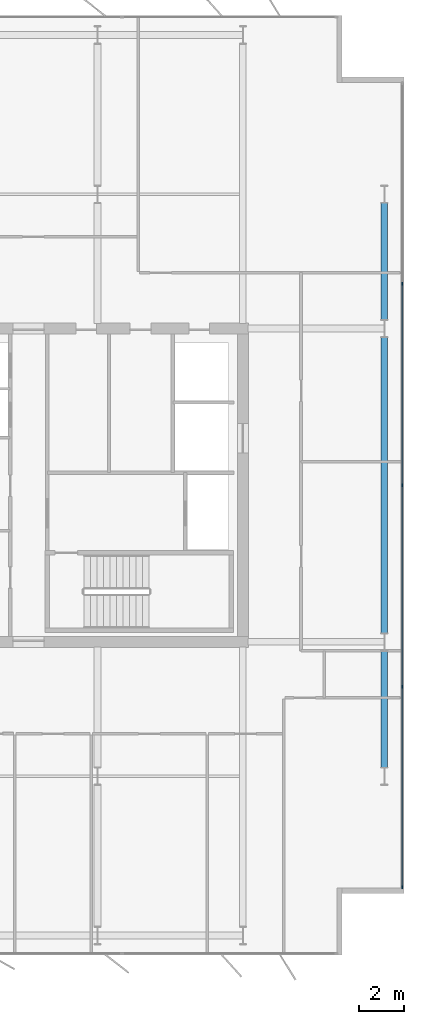
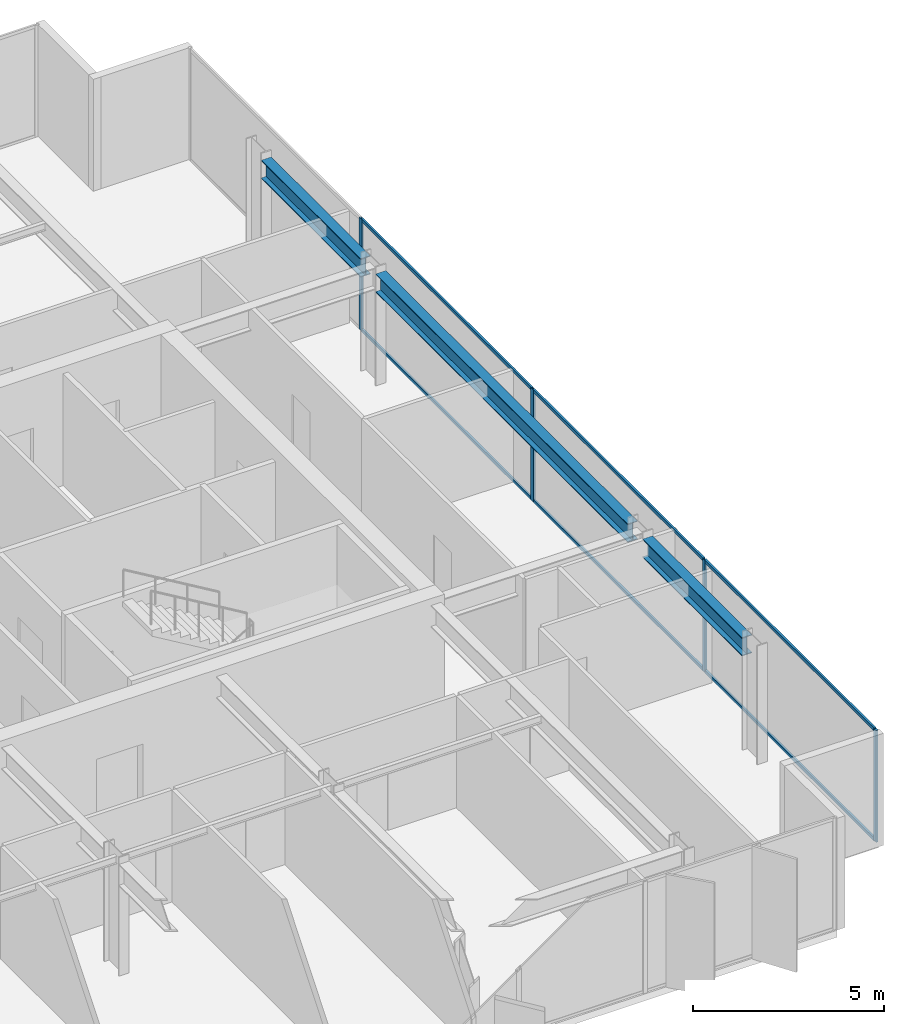
# One storey, part 14 of 24: 10 members, 3 beams, 1 element without a shape of its own.
"""IFC4 building model written with IfcOpenShell, lengths in metres."""

from ifc_helpers import new_model, si_unit, direction, frame, origin, origin_2d, place, context, subcontext, project, spatial, rectangle, i_section, extrude, material, layer, layer_set, material_profile, profile_set, type_object, element, aggregate, save


model = new_model("IFC4")

# Units and contexts
model_context = context("Model", 3, precision=1e-05, world=origin(), true_north=direction((0.0, 1.0)))
body_context = subcontext(model_context, "Body", "Model", "MODEL_VIEW")
ifc_project = project(units=[si_unit("LENGTHUNIT", "METRE"), si_unit("AREAUNIT", "SQUARE_METRE"), si_unit("VOLUMEUNIT", "CUBIC_METRE"), si_unit("PLANEANGLEUNIT", "RADIAN"), si_unit("MASSUNIT", "GRAM", prefix="KILO")], contexts=[model_context])

# Site, building, storey
site_placement = place(None, origin())
site = spatial("IfcSite", under=ifc_project, at=site_placement, CompositionType="ELEMENT")
building_placement = place(site_placement, origin())
building = spatial("IfcBuilding", under=site, at=building_placement, Name="Putna Gate Headquarters", CompositionType="ELEMENT")
storey_placement = place(building_placement, frame((0.0, 0.0, 236.60009765625)))
storey = spatial("IfcBuildingStorey", under=building, at=storey_placement, Name="L59", CompositionType="ELEMENT", Elevation=236.60009765625)

# Beams
ifc_material_1 = material(Name="Steel S355J2", Category="steel")
ifc_material_profile_1 = material_profile(ifc_material_1, i_section(OverallWidth=0.300048828125, OverallDepth=0.590087890625, WebThickness=0.012939453125, FlangeThickness=0.02490234375, at=origin_2d()), Name="Steel S355J2")
ifc_profile_set_1 = profile_set([ifc_material_profile_1], Name="Steel S355J2")
beam_type = type_object("IfcBeamType", Name="BM-SPAN-Z4-HEA600", PredefinedType="SPANDREL", material=ifc_profile_set_1)
beam_1_placement = place(storey_placement, frame((71.320068359375, 13.39501953125, 3.284912109375), z_axis=(0.0, 1.0, 0.0), x_axis=(-1.0, 0.0, 0.0)))
element("IfcBeam", 1, at=beam_1_placement, inside=storey, type_object=beam_type, Name="L59 E End Spandrel 1", PredefinedType="SPANDREL", context=body_context, shape_type="SweptSolid", body=[
    extrude(i_section(OverallWidth=0.300048828125, OverallDepth=0.590087890625, WebThickness=0.012939453125, FlangeThickness=0.02490234375, at=origin_2d()), origin(), (0.0, 0.0, 1.0), 5.2099609375),
])
beam_2_placement = place(storey_placement, frame((71.320068359375, 19.39501953125, 3.284912109375), z_axis=(0.0, 1.0, 0.0), x_axis=(-1.0, 0.0, 0.0)))
element("IfcBeam", 2, at=beam_2_placement, inside=storey, type_object=beam_type, Name="L59 E End Spandrel 2", PredefinedType="SPANDREL", context=body_context, shape_type="SweptSolid", body=[
    extrude(i_section(OverallWidth=0.300048828125, OverallDepth=0.590087890625, WebThickness=0.012939453125, FlangeThickness=0.02490234375, at=origin_2d()), origin(), (0.0, 0.0, 1.0), 13.2099609375),
])
beam_3_placement = place(storey_placement, frame((71.320068359375, 33.39501953125, 3.284912109375), z_axis=(0.0, 1.0, 0.0), x_axis=(-1.0, 0.0, 0.0)))
element("IfcBeam", 3, at=beam_3_placement, inside=storey, type_object=beam_type, Name="L59 E End Spandrel 3", PredefinedType="SPANDREL", context=body_context, shape_type="SweptSolid", body=[
    extrude(i_section(OverallWidth=0.300048828125, OverallDepth=0.590087890625, WebThickness=0.012939453125, FlangeThickness=0.02490234375, at=origin_2d()), origin(), (0.0, 0.0, 1.0), 5.2099609375),
])

# Curtain wall, members
ifc_material_2 = material(Name="Anodised bronze aluminium curtain wall", Category="aluminium")
ifc_layer = layer(ifc_material_2, 0.139892578125)
ifc_layer_set = layer_set([ifc_layer], Name="Anodised bronze aluminium curtain wall")
curtain_wall_type = type_object("IfcCurtainWallType", Name="CW-SYS-Z4", PredefinedType="USERDEFINED", material=ifc_layer_set)
curtain_wall_placement = place(storey_placement, origin())
curtain_wall = element("IfcCurtainWall", 4, at=curtain_wall_placement, inside=storey, type_object=curtain_wall_type, Name="L59 East Curtain Wall", ObjectType="STICK CURTAIN WALL", PredefinedType="USERDEFINED")
ifc_material_3 = material(Name="Anodised bronze aluminium EN AW-6060", Category="aluminium")
ifc_material_profile_2 = material_profile(ifc_material_3, rectangle(XDim=0.06005859375, YDim=0.139892578125, at=origin_2d()), Name="Anodised bronze aluminium EN AW-6060")
ifc_profile_set_2 = profile_set([ifc_material_profile_2], Name="Anodised bronze aluminium EN AW-6060")
member_type_1 = type_object("IfcMemberType", Name="MULL-CWM-4", PredefinedType="MULLION", material=ifc_profile_set_2)
member_1_placement = place(storey_placement, frame((72.1201171875, 8.030029296875, 0.0), z_axis=(0.0, 0.0, 1.0), x_axis=(-1.0, 0.0, 0.0)))
member_1 = element("IfcMember", 5, at=member_1_placement, type_object=member_type_1, Name="CWS-4 mullion 1", PredefinedType="MULLION", context=body_context, shape_type="SweptSolid", body=[
    extrude(rectangle(XDim=0.06005859375, YDim=0.139892578125, at=origin_2d()), origin(), (0.0, 0.0, 1.0), 3.579833984375),
])
member_2_placement = place(storey_placement, frame((72.1201171875, 17.0, 0.0), z_axis=(0.0, 0.0, 1.0), x_axis=(-1.0, 0.0, 0.0)))
member_2 = element("IfcMember", 6, at=member_2_placement, type_object=member_type_1, Name="CWS-4 mullion 2", PredefinedType="MULLION", context=body_context, shape_type="SweptSolid", body=[
    extrude(rectangle(XDim=0.06005859375, YDim=0.139892578125, at=origin_2d()), origin(), (0.0, 0.0, 1.0), 3.579833984375),
])
member_3_placement = place(storey_placement, frame((72.1201171875, 26.0, 0.0), z_axis=(0.0, 0.0, 1.0), x_axis=(-1.0, 0.0, 0.0)))
member_3 = element("IfcMember", 7, at=member_3_placement, type_object=member_type_1, Name="CWS-4 mullion 3", PredefinedType="MULLION", context=body_context, shape_type="SweptSolid", body=[
    extrude(rectangle(XDim=0.06005859375, YDim=0.139892578125, at=origin_2d()), origin(), (0.0, 0.0, 1.0), 3.579833984375),
])
member_4_placement = place(storey_placement, frame((72.1201171875, 35.0, 0.0), z_axis=(0.0, 0.0, 1.0), x_axis=(-1.0, 0.0, 0.0)))
member_4 = element("IfcMember", 8, at=member_4_placement, type_object=member_type_1, Name="CWS-4 mullion 4", PredefinedType="MULLION", context=body_context, shape_type="SweptSolid", body=[
    extrude(rectangle(XDim=0.06005859375, YDim=0.139892578125, at=origin_2d()), origin(), (0.0, 0.0, 1.0), 3.579833984375),
])
ifc_material_profile_3 = material_profile(ifc_material_3, rectangle(XDim=0.06005859375, YDim=0.10009765625, at=origin_2d()), Name="Anodised bronze aluminium EN AW-6060")
ifc_profile_set_3 = profile_set([ifc_material_profile_3], Name="Anodised bronze aluminium EN AW-6060")
member_type_2 = type_object("IfcMemberType", Name="TRAN-CWT-4", PredefinedType="USERDEFINED", material=ifc_profile_set_3)
member_5_placement = place(storey_placement, frame((72.1201171875, 8.06005859375, 0.02978515625), z_axis=(0.0, 1.0, 0.0), x_axis=(-1.0, 0.0, 0.0)))
member_5 = element("IfcMember", 9, at=member_5_placement, type_object=member_type_2, Name="CWS-4 transom 1.1", ObjectType="TRANSOM", PredefinedType="USERDEFINED", context=body_context, shape_type="SweptSolid", body=[
    extrude(rectangle(XDim=0.06005859375, YDim=0.10009765625, at=origin_2d()), origin(), (0.0, 0.0, 1.0), 8.909912109375),
])
member_6_placement = place(storey_placement, frame((72.1201171875, 8.06005859375, 3.5498046875), z_axis=(0.0, 1.0, 0.0), x_axis=(-1.0, 0.0, 0.0)))
member_6 = element("IfcMember", 10, at=member_6_placement, type_object=member_type_2, Name="CWS-4 transom 1.2", ObjectType="TRANSOM", PredefinedType="USERDEFINED", context=body_context, shape_type="SweptSolid", body=[
    extrude(rectangle(XDim=0.06005859375, YDim=0.10009765625, at=origin_2d()), origin(), (0.0, 0.0, 1.0), 8.909912109375),
])
member_7_placement = place(storey_placement, frame((72.1201171875, 17.030029296875, 0.02978515625), z_axis=(0.0, 1.0, 0.0), x_axis=(-1.0, 0.0, 0.0)))
member_7 = element("IfcMember", 11, at=member_7_placement, type_object=member_type_2, Name="CWS-4 transom 2.1", ObjectType="TRANSOM", PredefinedType="USERDEFINED", context=body_context, shape_type="SweptSolid", body=[
    extrude(rectangle(XDim=0.06005859375, YDim=0.10009765625, at=origin_2d()), origin(), (0.0, 0.0, 1.0), 8.93994140625),
])
member_8_placement = place(storey_placement, frame((72.1201171875, 17.030029296875, 3.5498046875), z_axis=(0.0, 1.0, 0.0), x_axis=(-1.0, 0.0, 0.0)))
member_8 = element("IfcMember", 12, at=member_8_placement, type_object=member_type_2, Name="CWS-4 transom 2.2", ObjectType="TRANSOM", PredefinedType="USERDEFINED", context=body_context, shape_type="SweptSolid", body=[
    extrude(rectangle(XDim=0.06005859375, YDim=0.10009765625, at=origin_2d()), origin(), (0.0, 0.0, 1.0), 8.93994140625),
])
member_9_placement = place(storey_placement, frame((72.1201171875, 26.030029296875, 0.02978515625), z_axis=(0.0, 1.0, 0.0), x_axis=(-1.0, 0.0, 0.0)))
member_9 = element("IfcMember", 13, at=member_9_placement, type_object=member_type_2, Name="CWS-4 transom 3.1", ObjectType="TRANSOM", PredefinedType="USERDEFINED", context=body_context, shape_type="SweptSolid", body=[
    extrude(rectangle(XDim=0.06005859375, YDim=0.10009765625, at=origin_2d()), origin(), (0.0, 0.0, 1.0), 8.93994140625),
])
member_10_placement = place(storey_placement, frame((72.1201171875, 26.030029296875, 3.5498046875), z_axis=(0.0, 1.0, 0.0), x_axis=(-1.0, 0.0, 0.0)))
member_10 = element("IfcMember", 14, at=member_10_placement, type_object=member_type_2, Name="CWS-4 transom 3.2", ObjectType="TRANSOM", PredefinedType="USERDEFINED", context=body_context, shape_type="SweptSolid", body=[
    extrude(rectangle(XDim=0.06005859375, YDim=0.10009765625, at=origin_2d()), origin(), (0.0, 0.0, 1.0), 8.93994140625),
])
aggregate(curtain_wall, [member_1, member_2, member_3, member_4, member_5, member_6, member_7, member_8, member_9, member_10])

save(model, "model.ifc")
